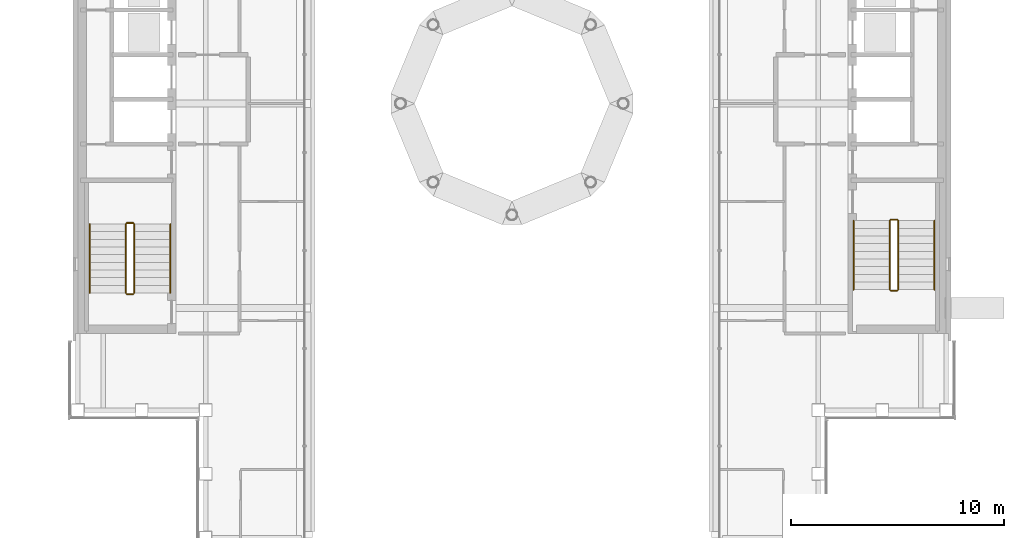
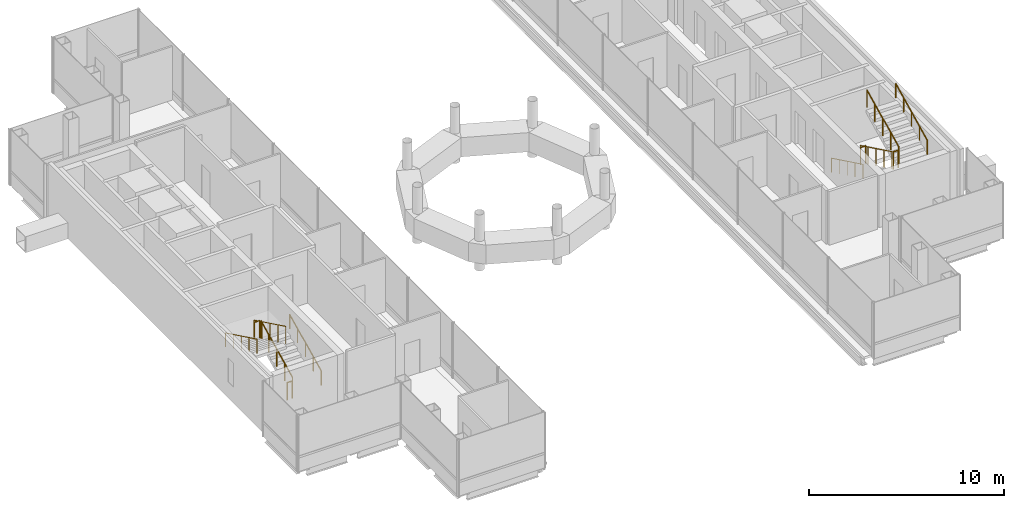
# One storey, part 20 of 21: 12 railings.
"""IFC4 building model written with IfcOpenShell, lengths in metres."""

import ifcopenshell
import ifcopenshell.guid

model = None  # the IFC model being written
_history = None  # IfcOwnerHistory: only IFC2X3 demands one
_inside = {}  # id of a spatial element -> (the spatial element, [elements in it])
_under = {}  # id of a project, library or spatial element -> (it, [spatial elements below it])
_declared = {}  # id of a project -> (the project, [libraries it declares])
_typed = {}  # id of a type object -> (the type object, [elements of that type])
_made_of = {}  # id of a material, layer set ... -> (it, [elements and type objects made of it])


def new_model(schema):
    """Start an empty IFC model of exactly this schema.

    Asked for "IFC4X3", IfcOpenShell would pick the latest addendum, in which some entities
    have other attributes; the version numbers below select the first issue.
    IFC2X3 requires an IfcOwnerHistory on every rooted entity: one is made here for all.
    """
    global model, _history
    if schema == "IFC4X3":
        model = ifcopenshell.file(schema_version=(4, 3, 0, 0))
    else:
        model = ifcopenshell.file(schema=schema)
    _inside.clear()
    _under.clear()
    _declared.clear()
    _typed.clear()
    _made_of.clear()
    _history = None
    if model.schema == "IFC2X3":
        org = make("IfcOrganization", Name="unknown")
        user = make(
            "IfcPersonAndOrganization",
            ThePerson=make("IfcPerson", FamilyName="unknown"),
            TheOrganization=org,
        )
        app = make(
            "IfcApplication",
            ApplicationDeveloper=org,
            Version="unknown",
            ApplicationFullName="unknown",
            ApplicationIdentifier="unknown",
        )
        _history = make(
            "IfcOwnerHistory",
            OwningUser=user,
            OwningApplication=app,
            ChangeAction="ADDED",
            CreationDate=0,
        )
    return model


def make(cls, **values):
    """One entity of the class cls with the attributes given. An attribute that is None is left unset."""
    return model.create_entity(
        cls, **{name: value for name, value in values.items() if value is not None}
    )


def rooted(cls, **values):
    """An entity with a GlobalId (a new one), such as an element, a storey or a relation."""
    return make(cls, GlobalId=ifcopenshell.guid.new(), OwnerHistory=_history, **values)


def si_unit(unit_type, name, prefix=None):
    """IfcSIUnit, for example si_unit("LENGTHUNIT", "METRE", prefix="MILLI")."""
    return make("IfcSIUnit", UnitType=unit_type, Prefix=prefix, Name=name)


def assignment(units):
    """IfcUnitAssignment: the units of a project."""
    return None if units is None else make("IfcUnitAssignment", Units=units)


def point(xyz):
    """IfcCartesianPoint."""
    return None if xyz is None else make("IfcCartesianPoint", Coordinates=xyz)


def direction(xyz):
    """IfcDirection."""
    return None if xyz is None else make("IfcDirection", DirectionRatios=xyz)


def frame(location, z_axis=None, x_axis=None):
    """IfcAxis2Placement3D, a coordinate frame: its origin and axes. An axis left out is left unset."""
    return make(
        "IfcAxis2Placement3D",
        Location=point(location),
        Axis=direction(z_axis),
        RefDirection=direction(x_axis),
    )


def frame_2d(location, x_axis=None):
    """IfcAxis2Placement2D, a coordinate frame in the plane: its origin and x axis."""
    return make(
        "IfcAxis2Placement2D", Location=point(location), RefDirection=direction(x_axis)
    )


def origin():
    """The frame at (0, 0, 0) with its axes left unset."""
    return frame((0.0, 0.0, 0.0))


def origin_2d():
    """The frame at (0, 0) in the plane with its x axis left unset."""
    return frame_2d((0.0, 0.0))


def place(relative_to, where):
    """IfcLocalPlacement: puts the frame where relative to a parent placement (None: the world)."""
    return make(
        "IfcLocalPlacement", PlacementRelTo=relative_to, RelativePlacement=where
    )


def context(
    kind, dimensions, precision=None, world=None, true_north=None, identifier=None
):
    """IfcGeometricRepresentationContext, for example the 3D "Model" context."""
    return make(
        "IfcGeometricRepresentationContext",
        ContextIdentifier=identifier,
        ContextType=kind,
        CoordinateSpaceDimension=dimensions,
        Precision=precision,
        WorldCoordinateSystem=world,
        TrueNorth=true_north,
    )


def subcontext(parent, identifier, kind, view, scale=None):
    """IfcGeometricRepresentationSubContext, for example "Body" below "Model"."""
    return make(
        "IfcGeometricRepresentationSubContext",
        ContextIdentifier=identifier,
        ContextType=kind,
        ParentContext=parent,
        TargetScale=scale,
        TargetView=view,
    )


def project(units=None, contexts=None):
    """IfcProject with its units and contexts."""
    return rooted(
        "IfcProject",
        Name="project",
        RepresentationContexts=contexts,
        UnitsInContext=assignment(units),
    )


def spatial(cls, under=None, at=None, **own):
    """A site, building, storey or space (cls), placed at a placement, below another one or the project."""
    s = rooted(cls, ObjectPlacement=at, **own)
    if under is not None:
        _under.setdefault(under.id(), (under, []))[1].append(s)
    return s


def profile(cls, at=None, kind="AREA", **sizes):
    """A parametric profile (cls). Its sizes go by their IFC names, for example OverallWidth=200.0."""
    return make(cls, ProfileType=kind, Position=at, **sizes)


def circle(**sizes):
    """IfcCircleProfileDef."""
    return profile("IfcCircleProfileDef", **sizes)


def extrude(swept, where, along, depth):
    """IfcExtrudedAreaSolid: the profile swept, set in the frame where, extruded along a direction by depth."""
    return make(
        "IfcExtrudedAreaSolid",
        SweptArea=swept,
        Position=where,
        ExtrudedDirection=direction(along),
        Depth=depth,
    )


def shape(context_of_items, identifier, shape_type, items):
    """IfcShapeRepresentation: the items that make up one representation, for example the "Body"."""
    return make(
        "IfcShapeRepresentation",
        ContextOfItems=context_of_items,
        RepresentationIdentifier=identifier,
        RepresentationType=shape_type,
        Items=items,
    )


def material(Name=None, Category=None):
    """IfcMaterial."""
    return make("IfcMaterial", Name=Name, Category=Category)


def made_of(thing, what):
    """Note that an element or type object is made of a material, layer set ...; save() writes the relation."""
    if what is not None:
        _made_of.setdefault(what.id(), (what, []))[1].append(thing)
    return thing


def type_object(cls, material=None, **own):
    """A type object (cls), such as IfcWallType, which elements share."""
    return made_of(rooted(cls, **own), material)


def element(
    cls,
    number,
    at=None,
    inside=None,
    cuts=None,
    type_object=None,
    material=None,
    context=None,
    identifier="Body",
    shape_type=None,
    held_by="IfcProductDefinitionShape",
    body=None,
    shapes=None,
    **own,
):
    """One element of the class cls, such as IfcWall. Its Tag is "e" and its number.

    at: its placement. inside: the storey or other place that contains it. cuts: it is an
    opening in that element (IfcRelVoidsElement). A single representation is given by context,
    identifier, shape_type and body (its items); several are given by shapes. held_by: the class
    of the entity that holds the representations. save() writes the other relations.
    """
    e = rooted(cls, Tag="e%d" % number, ObjectPlacement=at, **own)
    if body is not None:
        shapes = [shape(context, identifier, shape_type, body)]
    if shapes is not None:
        e.Representation = make(held_by, Representations=shapes)
    if inside is not None:
        _inside.setdefault(inside.id(), (inside, []))[1].append(e)
    if cuts is not None:
        rooted(
            "IfcRelVoidsElement", RelatingBuildingElement=cuts, RelatedOpeningElement=e
        )
    if type_object is not None:
        _typed.setdefault(type_object.id(), (type_object, []))[1].append(e)
    return made_of(e, material)


def aggregate(whole, parts):
    """IfcRelAggregates: a whole, such as a stair, and the parts it consists of."""
    return rooted("IfcRelAggregates", RelatingObject=whole, RelatedObjects=parts)


def save(model, path):
    """Write the relations noted so far, then the file.

    IfcRelAggregates (storeys below a building ...), IfcRelContainedInSpatialStructure (elements
    in a storey), IfcRelDefinesByType, IfcRelAssociatesMaterial and IfcRelDeclares: one each for
    every whole, place, type object, material and project.
    """
    for whole, parts in _under.values():
        aggregate(whole, parts)
    for where, things in _inside.values():
        rooted(
            "IfcRelContainedInSpatialStructure",
            RelatedElements=things,
            RelatingStructure=where,
        )
    for kind, things in _typed.values():
        rooted("IfcRelDefinesByType", RelatedObjects=things, RelatingType=kind)
    for what, things in _made_of.values():
        rooted("IfcRelAssociatesMaterial", RelatedObjects=things, RelatingMaterial=what)
    for by, libraries in _declared.values():
        rooted("IfcRelDeclares", RelatingContext=by, RelatedDefinitions=libraries)
    model.write(path)


model = new_model("IFC4")

# Units and contexts
model_context = context("Model", 3, precision=1e-05, world=origin(), true_north=direction((0.0, 1.0)))
body_context = subcontext(model_context, "Body", "Model", "MODEL_VIEW")
ifc_project = project(units=[si_unit("LENGTHUNIT", "METRE"), si_unit("AREAUNIT", "SQUARE_METRE"), si_unit("VOLUMEUNIT", "CUBIC_METRE"), si_unit("PLANEANGLEUNIT", "RADIAN"), si_unit("MASSUNIT", "GRAM", prefix="KILO")], contexts=[model_context])

# Site, building, storey
site_placement = place(None, origin())
site = spatial("IfcSite", under=ifc_project, at=site_placement, CompositionType="ELEMENT")
building_placement = place(site_placement, origin())
building = spatial("IfcBuilding", under=site, at=building_placement, Name="Cobrizo Arcos Hotel Tower", CompositionType="ELEMENT")
storey_placement = place(building_placement, frame((0.0, 0.0, 279.5)))
storey = spatial("IfcBuildingStorey", under=building, at=storey_placement, Name="L74", CompositionType="ELEMENT", Elevation=279.5)

# Railings
ifc_material = material(Name="Stainless steel railing", Category="steel")
railing_type_1 = type_object("IfcRailingType", Name="Stair guard 1100", PredefinedType="GUARDRAIL", material=ifc_material)
railing_1_placement = place(storey_placement, frame((-17.75, -8.89990234375, 0.175048828125)))
element("IfcRailing", 1, at=railing_1_placement, inside=storey, type_object=railing_type_1, Name="L74 ST-W stair guard 1", PredefinedType="GUARDRAIL", context=body_context, shape_type="SweptSolid", body=[
    extrude(circle(Radius=0.02392578125, at=origin_2d()), frame((0.0, 0.0, 1.076171875), z_axis=(0.0, 0.899372665325, 0.437182809435), x_axis=(-1.0, 0.0, 0.0)), (0.0, 0.0, 1.0), 3.6025390625),
    extrude(circle(Radius=0.02099609375, at=origin_2d()), origin(), (0.0, 0.0, 1.0), 1.052001953125),
    extrude(circle(Radius=0.02099609375, at=origin_2d()), frame((0.0, 0.81005859375, 0.393798828125)), (0.0, 0.0, 1.0), 1.052001953125),
    extrude(circle(Radius=0.02099609375, at=origin_2d()), frame((0.0, 1.6201171875, 0.78759765625)), (0.0, 0.0, 1.0), 1.052001953125),
    extrude(circle(Radius=0.02099609375, at=origin_2d()), frame((0.0, 2.429931640625, 1.18115234375)), (0.0, 0.0, 1.0), 1.052001953125),
    extrude(circle(Radius=0.02099609375, at=origin_2d()), frame((0.0, 3.239990234375, 1.574951171875)), (0.0, 0.0, 1.0), 1.052001953125),
])
railing_2_placement = place(storey_placement, frame((-17.800048828125, -5.610107421875, 1.75)))
element("IfcRailing", 2, at=railing_2_placement, inside=storey, type_object=railing_type_1, Name="L74 ST-W stair guard 2", PredefinedType="GUARDRAIL", context=body_context, shape_type="SweptSolid", body=[
    extrude(circle(Radius=0.02392578125, at=origin_2d()), frame((0.0, 0.0, 1.076171875), z_axis=(-1.0, 0.0, 0.0), x_axis=(0.0, -1.0, 0.0)), (0.0, 0.0, 1.0), 0.300048828125),
    extrude(circle(Radius=0.02099609375, at=origin_2d()), origin(), (0.0, 0.0, 1.0), 1.052001953125),
    extrude(circle(Radius=0.02099609375, at=origin_2d()), frame((-0.300048828125, 0.0, 0.0)), (0.0, 0.0, 1.0), 1.052001953125),
])
railing_3_placement = place(storey_placement, frame((-18.14990234375, -5.659912109375, 1.925048828125)))
element("IfcRailing", 3, at=railing_3_placement, inside=storey, type_object=railing_type_1, Name="L74 ST-W stair guard 3", PredefinedType="GUARDRAIL", context=body_context, shape_type="SweptSolid", body=[
    extrude(circle(Radius=0.02392578125, at=origin_2d()), frame((0.0, 0.0, 1.076171875), z_axis=(0.0, -0.899372665325, 0.437182809435), x_axis=(1.0, 0.0, 0.0)), (0.0, 0.0, 1.0), 3.6025390625),
    extrude(circle(Radius=0.02099609375, at=origin_2d()), origin(), (0.0, 0.0, 1.0), 1.052001953125),
    extrude(circle(Radius=0.02099609375, at=origin_2d()), frame((0.0, -0.81005859375, 0.393798828125)), (0.0, 0.0, 1.0), 1.052001953125),
    extrude(circle(Radius=0.02099609375, at=origin_2d()), frame((0.0, -1.6201171875, 0.78759765625)), (0.0, 0.0, 1.0), 1.052001953125),
    extrude(circle(Radius=0.02099609375, at=origin_2d()), frame((0.0, -2.429931640625, 1.18115234375)), (0.0, 0.0, 1.0), 1.052001953125),
    extrude(circle(Radius=0.02099609375, at=origin_2d()), frame((0.0, -3.239990234375, 1.574951171875)), (0.0, 0.0, 1.0), 1.052001953125),
])
railing_4_placement = place(storey_placement, frame((-17.800048828125, -8.949951171875, 0.0)))
element("IfcRailing", 4, at=railing_4_placement, inside=storey, type_object=railing_type_1, Name="L74 ST-W stair guard 4", PredefinedType="GUARDRAIL", context=body_context, shape_type="SweptSolid", body=[
    extrude(circle(Radius=0.02392578125, at=origin_2d()), frame((0.0, 0.0, 1.076171875), z_axis=(-1.0, 0.0, 0.0), x_axis=(0.0, -1.0, 0.0)), (0.0, 0.0, 1.0), 0.300048828125),
    extrude(circle(Radius=0.02099609375, at=origin_2d()), origin(), (0.0, 0.0, 1.0), 1.052001953125),
    extrude(circle(Radius=0.02099609375, at=origin_2d()), frame((-0.300048828125, 0.0, 0.0)), (0.0, 0.0, 1.0), 1.052001953125),
])
railing_5_placement = place(storey_placement, frame((17.75, -5.5, 0.175048828125)))
element("IfcRailing", 5, at=railing_5_placement, inside=storey, type_object=railing_type_1, Name="L74 ST-E stair guard 1", PredefinedType="GUARDRAIL", context=body_context, shape_type="SweptSolid", body=[
    extrude(circle(Radius=0.02392578125, at=origin_2d()), frame((0.0, 0.0, 1.076171875), z_axis=(0.0, -0.899372665325, 0.437182809435), x_axis=(1.0, 0.0, 0.0)), (0.0, 0.0, 1.0), 3.6025390625),
    extrude(circle(Radius=0.02099609375, at=origin_2d()), origin(), (0.0, 0.0, 1.0), 1.052001953125),
    extrude(circle(Radius=0.02099609375, at=origin_2d()), frame((0.0, -0.81005859375, 0.393798828125)), (0.0, 0.0, 1.0), 1.052001953125),
    extrude(circle(Radius=0.02099609375, at=origin_2d()), frame((0.0, -1.6201171875, 0.78759765625)), (0.0, 0.0, 1.0), 1.052001953125),
    extrude(circle(Radius=0.02099609375, at=origin_2d()), frame((0.0, -2.429931640625, 1.18115234375)), (0.0, 0.0, 1.0), 1.052001953125),
    extrude(circle(Radius=0.02099609375, at=origin_2d()), frame((0.0, -3.239990234375, 1.574951171875)), (0.0, 0.0, 1.0), 1.052001953125),
])
railing_6_placement = place(storey_placement, frame((17.800048828125, -8.7900390625, 1.75)))
element("IfcRailing", 6, at=railing_6_placement, inside=storey, type_object=railing_type_1, Name="L74 ST-E stair guard 2", PredefinedType="GUARDRAIL", context=body_context, shape_type="SweptSolid", body=[
    extrude(circle(Radius=0.02392578125, at=origin_2d()), frame((0.0, 0.0, 1.076171875), z_axis=(1.0, 0.0, 0.0), x_axis=(0.0, 1.0, 0.0)), (0.0, 0.0, 1.0), 0.300048828125),
    extrude(circle(Radius=0.02099609375, at=origin_2d()), origin(), (0.0, 0.0, 1.0), 1.052001953125),
    extrude(circle(Radius=0.02099609375, at=origin_2d()), frame((0.300048828125, 0.0, 0.0)), (0.0, 0.0, 1.0), 1.052001953125),
])
railing_7_placement = place(storey_placement, frame((18.14990234375, -8.739990234375, 1.925048828125)))
element("IfcRailing", 7, at=railing_7_placement, inside=storey, type_object=railing_type_1, Name="L74 ST-E stair guard 3", PredefinedType="GUARDRAIL", context=body_context, shape_type="SweptSolid", body=[
    extrude(circle(Radius=0.02392578125, at=origin_2d()), frame((0.0, 0.0, 1.076171875), z_axis=(0.0, 0.899372665325, 0.437182809435), x_axis=(-1.0, 0.0, 0.0)), (0.0, 0.0, 1.0), 3.6025390625),
    extrude(circle(Radius=0.02099609375, at=origin_2d()), origin(), (0.0, 0.0, 1.0), 1.052001953125),
    extrude(circle(Radius=0.02099609375, at=origin_2d()), frame((0.0, 0.81005859375, 0.393798828125)), (0.0, 0.0, 1.0), 1.052001953125),
    extrude(circle(Radius=0.02099609375, at=origin_2d()), frame((0.0, 1.6201171875, 0.78759765625)), (0.0, 0.0, 1.0), 1.052001953125),
    extrude(circle(Radius=0.02099609375, at=origin_2d()), frame((0.0, 2.429931640625, 1.18115234375)), (0.0, 0.0, 1.0), 1.052001953125),
    extrude(circle(Radius=0.02099609375, at=origin_2d()), frame((0.0, 3.239990234375, 1.574951171875)), (0.0, 0.0, 1.0), 1.052001953125),
])
railing_8_placement = place(storey_placement, frame((17.800048828125, -5.449951171875, 0.0)))
element("IfcRailing", 8, at=railing_8_placement, inside=storey, type_object=railing_type_1, Name="L74 ST-E stair guard 4", PredefinedType="GUARDRAIL", context=body_context, shape_type="SweptSolid", body=[
    extrude(circle(Radius=0.02392578125, at=origin_2d()), frame((0.0, 0.0, 1.076171875), z_axis=(1.0, 0.0, 0.0), x_axis=(0.0, 1.0, 0.0)), (0.0, 0.0, 1.0), 0.300048828125),
    extrude(circle(Radius=0.02099609375, at=origin_2d()), origin(), (0.0, 0.0, 1.0), 1.052001953125),
    extrude(circle(Radius=0.02099609375, at=origin_2d()), frame((0.300048828125, 0.0, 0.0)), (0.0, 0.0, 1.0), 1.052001953125),
])
railing_type_2 = type_object("IfcRailingType", Name="Stair handrail", PredefinedType="HANDRAIL", material=ifc_material)
railing_9_placement = place(storey_placement, frame((-16.050048828125, -8.89990234375, 0.175048828125)))
element("IfcRailing", 9, at=railing_9_placement, inside=storey, type_object=railing_type_2, Name="L74 ST-W stair handrail 1", PredefinedType="HANDRAIL", context=body_context, shape_type="SweptSolid", body=[
    extrude(circle(Radius=0.02392578125, at=origin_2d()), frame((0.0, 0.0, 0.8759765625), z_axis=(0.0, 0.899372665325, 0.437182809435), x_axis=(-1.0, 0.0, 0.0)), (0.0, 0.0, 1.0), 3.6025390625),
    extrude(circle(Radius=0.02099609375, at=origin_2d()), origin(), (0.0, 0.0, 1.0), 0.851806640625),
    extrude(circle(Radius=0.02099609375, at=origin_2d()), frame((0.0, 0.81005859375, 0.393798828125)), (0.0, 0.0, 1.0), 0.851806640625),
    extrude(circle(Radius=0.02099609375, at=origin_2d()), frame((0.0, 1.6201171875, 0.78759765625)), (0.0, 0.0, 1.0), 0.851806640625),
    extrude(circle(Radius=0.02099609375, at=origin_2d()), frame((0.0, 2.429931640625, 1.18115234375)), (0.0, 0.0, 1.0), 0.851806640625),
    extrude(circle(Radius=0.02099609375, at=origin_2d()), frame((0.0, 3.239990234375, 1.574951171875)), (0.0, 0.0, 1.0), 0.851806640625),
])
for number, where, name in (
    (10, (-19.85009765625, -5.659912109375, 1.925048828125), "L74 ST-W stair handrail 2"),
    (11, (16.050048828125, -5.5, 0.175048828125), "L74 ST-E stair handrail 1"),
):
    element("IfcRailing", number, at=place(storey_placement, frame(where)), inside=storey, type_object=railing_type_2, Name=name, PredefinedType="HANDRAIL", context=body_context, shape_type="SweptSolid", body=[
        extrude(circle(Radius=0.02392578125, at=origin_2d()), frame((0.0, 0.0, 0.8759765625), z_axis=(0.0, -0.899372665325, 0.437182809435), x_axis=(1.0, 0.0, 0.0)), (0.0, 0.0, 1.0), 3.6025390625),
        extrude(circle(Radius=0.02099609375, at=origin_2d()), origin(), (0.0, 0.0, 1.0), 0.851806640625),
        extrude(circle(Radius=0.02099609375, at=origin_2d()), frame((0.0, -0.81005859375, 0.393798828125)), (0.0, 0.0, 1.0), 0.851806640625),
        extrude(circle(Radius=0.02099609375, at=origin_2d()), frame((0.0, -1.6201171875, 0.78759765625)), (0.0, 0.0, 1.0), 0.851806640625),
        extrude(circle(Radius=0.02099609375, at=origin_2d()), frame((0.0, -2.429931640625, 1.18115234375)), (0.0, 0.0, 1.0), 0.851806640625),
        extrude(circle(Radius=0.02099609375, at=origin_2d()), frame((0.0, -3.239990234375, 1.574951171875)), (0.0, 0.0, 1.0), 0.851806640625),
    ])
railing_10_placement = place(storey_placement, frame((19.85009765625, -8.739990234375, 1.925048828125)))
element("IfcRailing", 12, at=railing_10_placement, inside=storey, type_object=railing_type_2, Name="L74 ST-E stair handrail 2", PredefinedType="HANDRAIL", context=body_context, shape_type="SweptSolid", body=[
    extrude(circle(Radius=0.02392578125, at=origin_2d()), frame((0.0, 0.0, 0.8759765625), z_axis=(0.0, 0.899372665325, 0.437182809435), x_axis=(-1.0, 0.0, 0.0)), (0.0, 0.0, 1.0), 3.6025390625),
    extrude(circle(Radius=0.02099609375, at=origin_2d()), origin(), (0.0, 0.0, 1.0), 0.851806640625),
    extrude(circle(Radius=0.02099609375, at=origin_2d()), frame((0.0, 0.81005859375, 0.393798828125)), (0.0, 0.0, 1.0), 0.851806640625),
    extrude(circle(Radius=0.02099609375, at=origin_2d()), frame((0.0, 1.6201171875, 0.78759765625)), (0.0, 0.0, 1.0), 0.851806640625),
    extrude(circle(Radius=0.02099609375, at=origin_2d()), frame((0.0, 2.429931640625, 1.18115234375)), (0.0, 0.0, 1.0), 0.851806640625),
    extrude(circle(Radius=0.02099609375, at=origin_2d()), frame((0.0, 3.239990234375, 1.574951171875)), (0.0, 0.0, 1.0), 0.851806640625),
])

save(model, "model.ifc")
